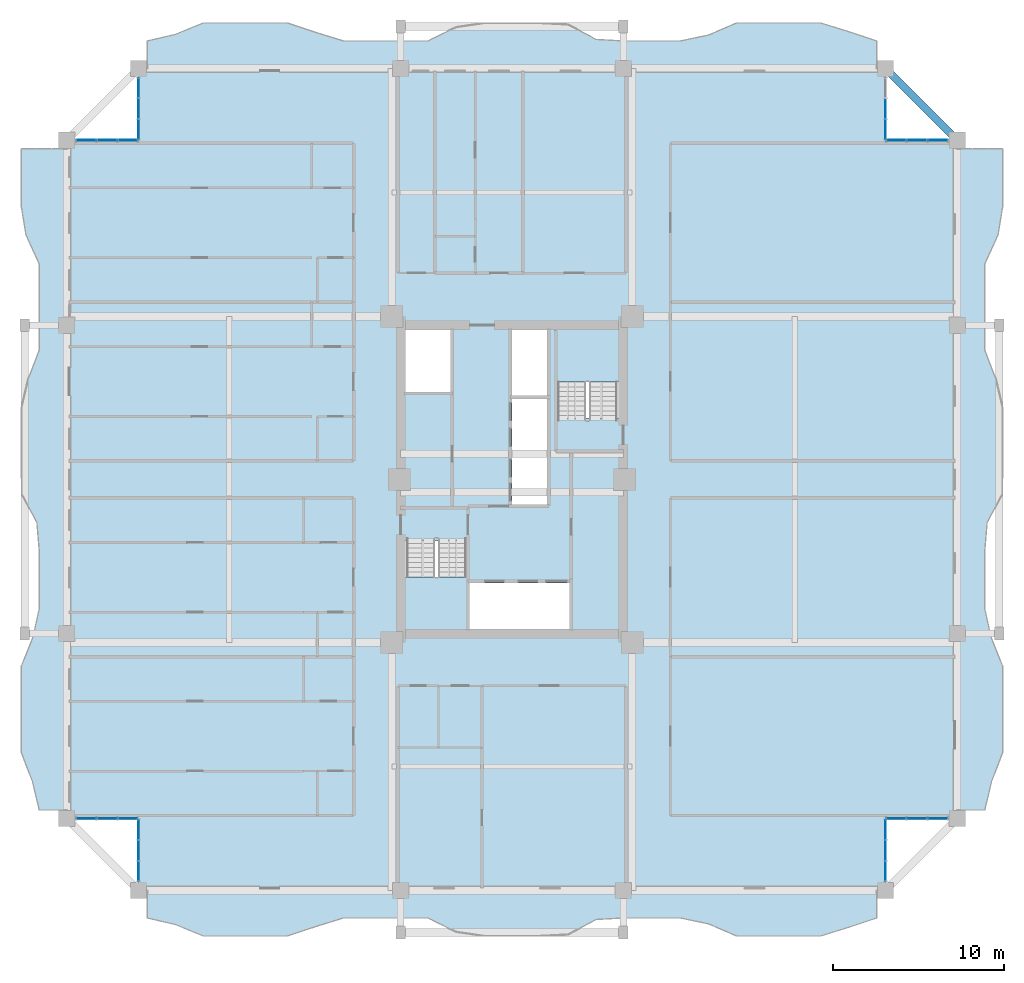
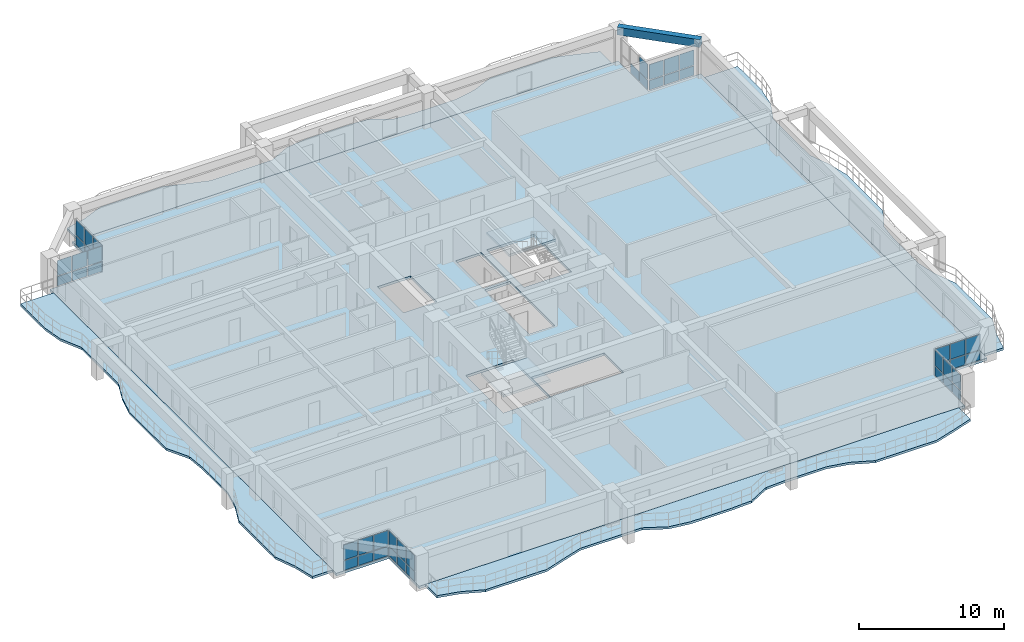
# One storey, part 12 of 22: 45 plates, 7 slabs, 1 beam, 10 elements without a shape of their own.
"""IFC4 building model written with IfcOpenShell, lengths in metres."""

from ifc_helpers import new_model, si_unit, direction, frame, origin, origin_2d, place, context, subcontext, project, spatial, polyline, rectangle, outline, extrude, source, transform, mapped, material, layer, layer_set, material_profile, profile_set, type_object, element, aggregate, save


model = new_model("IFC4")

# Units and contexts
model_context = context("Model", 3, precision=1e-05, world=origin(), true_north=direction((0.0, 1.0)))
body_context = subcontext(model_context, "Body", "Model", "MODEL_VIEW")
ifc_project = project(units=[si_unit("LENGTHUNIT", "METRE"), si_unit("AREAUNIT", "SQUARE_METRE"), si_unit("VOLUMEUNIT", "CUBIC_METRE"), si_unit("PLANEANGLEUNIT", "RADIAN"), si_unit("MASSUNIT", "GRAM", prefix="KILO")], contexts=[model_context])

# Site, building, storey
site_placement = place(None, origin())
site = spatial("IfcSite", under=ifc_project, at=site_placement, CompositionType="ELEMENT")
building_placement = place(site_placement, origin())
building = spatial("IfcBuilding", under=site, at=building_placement, Name="Saelheon Loggia Tower", CompositionType="ELEMENT")
storey_placement = place(building_placement, frame((0.0, 0.0, 135.75)))
storey = spatial("IfcBuildingStorey", under=building, at=storey_placement, Name="L43", CompositionType="ELEMENT", Elevation=135.75)

# Beam
ifc_material_1 = material(Name="Concrete C40/50", Category="concrete")
ifc_material_profile = material_profile(ifc_material_1, rectangle(XDim=0.449951171875, YDim=0.64990234375, at=origin_2d()), Name="RC-450x650")
ifc_profile_set = profile_set([ifc_material_profile], Name="Concrete C40/50")
beam_type = type_object("IfcBeamType", Name="Beam_PerimTower_RC450x650", PredefinedType="BEAM", material=ifc_profile_set)
shared_shape_1 = source(origin(), body_context, "Body", "SweptSolid", [
    extrude(rectangle(XDim=0.449951171875, YDim=0.64990234375, at=origin_2d()), origin(), (0.0, 0.0, 1.0), 5.939697265625),
])
beam_placement = place(storey_placement, frame((64.0, 46.800048828125, 2.675048828125), z_axis=(-0.707106781187, 0.707106781187, 0.0), x_axis=(-0.707106781187, -0.707106781187, 0.0)))
element("IfcBeam", 1, at=beam_placement, inside=storey, type_object=beam_type, Name="L43 Perimeter Frame Girder 08", PredefinedType="BEAM", context=body_context, shape_type="MappedRepresentation", body=[
    mapped(shared_shape_1, transform((0.0, 0.0, 0.0), scale=1.0)),
])

# Slabs
ifc_material_2 = material(Name="Precast Concrete C45/55", Category="concrete")
ifc_layer_1 = layer(ifc_material_2, 0.18994140625)
ifc_layer_set_1 = layer_set([ifc_layer_1], Name="Precast Concrete C45/55")
slab_type_1 = type_object("IfcSlabType", Name="Slab_Loggia_Ext_190", PredefinedType="FLOOR", material=ifc_layer_set_1)
slab_1_placement = place(storey_placement, frame((0.0, 0.0, -0.18994140625)))
element("IfcSlab", 2, at=slab_1_placement, inside=storey, type_object=slab_type_1, Name="L43 Loggia Balcony Slab S", PredefinedType="FLOOR", context=body_context, shape_type="SweptSolid", body=[
    extrude(outline(polyline([(16.699951171875, 1.39990234375), (18.33837890625, 1.01904296875), (19.976806640625, 0.35009765625), (21.615478515625, 0.35009765625), (23.25390625, 0.35009765625), (24.892333984375, 0.35009765625), (26.53076171875, 0.893798828125), (28.169189453125, 1.39990234375), (29.8076171875, 1.39990234375), (31.4462890625, 1.39990234375), (33.084716796875, 1.39990234375), (34.72314453125, 0.59423828125), (36.361572265625, 0.35009765625), (38.0, 0.35009765625), (39.638427734375, 0.35009765625), (41.27685546875, 0.436279296875), (42.915283203125, 1.31103515625), (44.5537109375, 1.39990234375), (46.1923828125, 1.39990234375), (47.830810546875, 1.39990234375), (49.46923828125, 1.05615234375), (51.107666015625, 0.35009765625), (52.74609375, 0.35009765625), (54.384521484375, 0.35009765625), (56.023193359375, 0.35009765625), (57.66162109375, 0.856201171875), (59.300048828125, 1.39990234375), (59.300048828125, 3.0), (16.699951171875, 3.0), (16.699951171875, 1.39990234375)])), origin(), (0.0, 0.0, 1.0), 0.18994140625),
])
slab_2_placement = place(storey_placement, frame((0.0, 0.0, -0.18994140625)))
element("IfcSlab", 3, at=slab_2_placement, inside=storey, type_object=slab_type_1, Name="L43 Loggia Balcony Slab N", PredefinedType="FLOOR", context=body_context, shape_type="SweptSolid", body=[
    extrude(outline(polyline([(16.699951171875, 51.0), (59.300048828125, 51.0), (59.300048828125, 52.60009765625), (57.66162109375, 53.143798828125), (56.023193359375, 53.64990234375), (54.384521484375, 53.64990234375), (52.74609375, 53.64990234375), (51.107666015625, 53.64990234375), (49.46923828125, 52.94384765625), (47.830810546875, 52.60009765625), (46.1923828125, 52.60009765625), (44.5537109375, 52.60009765625), (42.915283203125, 52.68896484375), (41.27685546875, 53.563720703125), (39.638427734375, 53.64990234375), (38.0, 53.64990234375), (36.361572265625, 53.64990234375), (34.72314453125, 53.40576171875), (33.084716796875, 52.60009765625), (31.4462890625, 52.60009765625), (29.8076171875, 52.60009765625), (28.169189453125, 52.60009765625), (26.53076171875, 53.106201171875), (24.892333984375, 53.64990234375), (23.25390625, 53.64990234375), (21.615478515625, 53.64990234375), (19.976806640625, 53.64990234375), (18.33837890625, 52.98095703125), (16.699951171875, 52.60009765625), (16.699951171875, 51.0)])), origin(), (0.0, 0.0, 1.0), 0.18994140625),
])
slab_3_placement = place(storey_placement, frame((0.0, 0.0, -0.18994140625)))
element("IfcSlab", 4, at=slab_3_placement, inside=storey, type_object=slab_type_1, Name="L43 Loggia Balcony Slab E", PredefinedType="FLOOR", context=body_context, shape_type="SweptSolid", body=[
    extrude(outline(polyline([(64.0, 7.699951171875), (65.60009765625, 7.699951171875), (66.00244140625, 9.37841796875), (66.64990234375, 11.056396484375), (66.64990234375, 12.73486328125), (66.64990234375, 14.4130859375), (66.64990234375, 16.09130859375), (65.976806640625, 17.76953125), (65.60009765625, 19.44775390625), (65.60009765625, 21.126220703125), (65.60009765625, 22.80419921875), (65.739501953125, 24.482666015625), (66.63427734375, 26.160888671875), (66.64990234375, 27.839111328125), (66.64990234375, 29.517333984375), (66.64990234375, 31.19580078125), (66.24560546875, 32.873779296875), (65.60009765625, 34.55224609375), (65.60009765625, 36.23046875), (65.60009765625, 37.90869140625), (65.60009765625, 39.5869140625), (66.374755859375, 41.26513671875), (66.64990234375, 42.943603515625), (66.64990234375, 44.62158203125), (66.64990234375, 46.300048828125), (64.0, 46.300048828125), (64.0, 7.699951171875)])), origin(), (0.0, 0.0, 1.0), 0.18994140625),
])
slab_4_placement = place(storey_placement, frame((0.0, 0.0, -0.18994140625)))
element("IfcSlab", 5, at=slab_4_placement, inside=storey, type_object=slab_type_1, Name="L43 Loggia Balcony Slab W", PredefinedType="FLOOR", context=body_context, shape_type="SweptSolid", body=[
    extrude(outline(polyline([(12.0, 7.699951171875), (12.0, 46.300048828125), (9.35009765625, 46.300048828125), (9.35009765625, 44.62158203125), (9.35009765625, 42.943603515625), (9.625244140625, 41.26513671875), (10.39990234375, 39.5869140625), (10.39990234375, 37.90869140625), (10.39990234375, 36.23046875), (10.39990234375, 34.55224609375), (9.75439453125, 32.873779296875), (9.35009765625, 31.19580078125), (9.35009765625, 29.517333984375), (9.35009765625, 27.839111328125), (9.36572265625, 26.160888671875), (10.260498046875, 24.482666015625), (10.39990234375, 22.80419921875), (10.39990234375, 21.126220703125), (10.39990234375, 19.44775390625), (10.023193359375, 17.76953125), (9.35009765625, 16.09130859375), (9.35009765625, 14.4130859375), (9.35009765625, 12.73486328125), (9.35009765625, 11.056396484375), (9.99755859375, 9.37841796875), (10.39990234375, 7.699951171875), (12.0, 7.699951171875)])), origin(), (0.0, 0.0, 1.0), 0.18994140625),
])

# Stair, slab
stair_type = type_object("IfcStairType", Name="Stair_Escape_Core", PredefinedType="HALF_TURN_STAIR", material=ifc_material_1)
stair_1_placement = place(storey_placement, origin())
stair_1 = element("IfcStair", 6, at=stair_1_placement, inside=storey, type_object=stair_type, Name="L43 Special Escape Stair ST1", PredefinedType="HALF_TURN_STAIR")
ifc_layer_2 = layer(ifc_material_1, 0.199951171875)
ifc_layer_set_2 = layer_set([ifc_layer_2], Name="Concrete C40/50")
slab_type_2 = type_object("IfcSlabType", Name="Slab_StairLanding_ST1", PredefinedType="LANDING", material=ifc_layer_set_2)
slab_5_placement = place(storey_placement, frame((0.0, 0.0, 1.300048828125)))
slab_5 = element("IfcSlab", 7, at=slab_5_placement, type_object=slab_type_2, Name="ST1 landing 1", PredefinedType="LANDING", context=body_context, shape_type="SweptSolid", body=[
    extrude(outline(polyline([(31.7099609375, 21.31005859375), (31.7099609375, 18.2099609375), (35.469970703125, 18.2099609375), (35.469970703125, 21.31005859375), (31.7099609375, 21.31005859375)])), origin(), (0.0, 0.0, 1.0), 0.199951171875),
])
aggregate(stair_1, [slab_5])

stair_2_placement = place(storey_placement, origin())
stair_2 = element("IfcStair", 8, at=stair_2_placement, inside=storey, type_object=stair_type, Name="L43 Special Escape Stair ST2", PredefinedType="HALF_TURN_STAIR")
ifc_layer_3 = layer(ifc_material_1, 0.199951171875)
ifc_layer_set_3 = layer_set([ifc_layer_3], Name="Concrete C40/50")
slab_type_3 = type_object("IfcSlabType", Name="Slab_StairLanding_ST2", PredefinedType="LANDING", material=ifc_layer_set_3)
slab_6_placement = place(storey_placement, frame((0.0, 0.0, 1.300048828125)))
slab_6 = element("IfcSlab", 9, at=slab_6_placement, type_object=slab_type_3, Name="ST2 landing 1", PredefinedType="LANDING", context=body_context, shape_type="SweptSolid", body=[
    extrude(outline(polyline([(44.2900390625, 32.68994140625), (44.2900390625, 35.7900390625), (40.530029296875, 35.7900390625), (40.530029296875, 32.68994140625), (44.2900390625, 32.68994140625)])), origin(), (0.0, 0.0, 1.0), 0.199951171875),
])
aggregate(stair_2, [slab_6])

# Slab
ifc_layer_4 = layer(ifc_material_1, 0.2099609375)
ifc_layer_set_4 = layer_set([ifc_layer_4], Name="Concrete C40/50")
slab_type_4 = type_object("IfcSlabType", Name="Slab_Tower_210", PredefinedType="FLOOR", material=ifc_layer_set_4)
slab_7_placement = place(storey_placement, frame((0.0, 0.0, -0.2099609375)))
element("IfcSlab", 10, at=slab_7_placement, inside=storey, type_object=slab_type_4, Name="L43 Tower Floor Slab", PredefinedType="FLOOR", context=body_context, shape_type="SweptSolid", body=[
    extrude(outline(polyline([(16.199951171875, 3.0), (59.800048828125, 3.0), (59.800048828125, 7.199951171875), (64.0, 7.199951171875), (64.0, 46.800048828125), (59.800048828125, 46.800048828125), (59.800048828125, 51.0), (16.199951171875, 51.0), (16.199951171875, 46.800048828125), (12.0, 46.800048828125), (12.0, 7.199951171875), (16.199951171875, 7.199951171875), (16.199951171875, 3.0)]), holes=[polyline([(31.699951171875, 23.409912109375), (31.699951171875, 18.199951171875), (35.47998046875, 18.199951171875), (35.47998046875, 23.409912109375), (31.699951171875, 23.409912109375)]), polyline([(44.300048828125, 30.590087890625), (44.300048828125, 35.800048828125), (40.52001953125, 35.800048828125), (40.52001953125, 30.590087890625), (44.300048828125, 30.590087890625)]), polyline([(35.530029296875, 18.27490234375), (41.35009765625, 18.27490234375), (41.35009765625, 20.9599609375), (35.530029296875, 20.9599609375), (35.530029296875, 18.27490234375)]), polyline([(31.77490234375, 32.1201171875), (34.419921875, 32.1201171875), (34.419921875, 35.72509765625), (31.77490234375, 35.72509765625), (31.77490234375, 32.1201171875)]), polyline([(38.0, 31.89990234375), (40.050048828125, 31.89990234375), (40.050048828125, 35.72509765625), (38.0, 35.72509765625), (38.0, 31.89990234375)]), polyline([(38.0, 25.5400390625), (40.050048828125, 25.5400390625), (40.050048828125, 31.699951171875), (38.0, 31.699951171875), (38.0, 25.5400390625)])]), origin(), (0.0, 0.0, 1.0), 0.2099609375),
])

# Curtain wall, plates
ifc_material_3 = material(Name="High-Wind Aluminium and Triple Laminated Glass", Category="aluminium")
ifc_layer_5 = layer(ifc_material_3, 0.179931640625)
ifc_layer_set_5 = layer_set([ifc_layer_5], Name="High-Wind Aluminium and Triple Laminated Glass")
curtain_wall_type = type_object("IfcCurtainWallType", Name="CW_TowerLoggiaHigh", PredefinedType="NOTDEFINED", material=ifc_layer_set_5)
curtain_wall_1_placement = place(storey_placement, origin())
curtain_wall_1 = element("IfcCurtainWall", 11, at=curtain_wall_1_placement, inside=storey, type_object=curtain_wall_type, Name="L43 Corner Notch Glazing SW1", PredefinedType="NOTDEFINED")
ifc_material_4 = material(Name="Triple Low-E Laminated Glazing", Category="glass")
ifc_layer_6 = layer(ifc_material_4, 0.0439453125)
ifc_layer_set_6 = layer_set([ifc_layer_6], Name="Triple Low-E Laminated Glazing")
plate_type = type_object("IfcPlateType", Name="CW_TowerLoggiaHigh_Panel", PredefinedType="CURTAIN_PANEL", material=ifc_layer_set_6)
shared_shape_2 = source(origin(), body_context, "Body", "SweptSolid", [
    extrude(rectangle(XDim=1.123291015625, YDim=0.0439453125, at=origin_2d()), origin(), (0.0, 0.0, 1.0), 0.794921875),
])
plate_1_placement = place(storey_placement, frame((16.199951171875, 4.146728515625, 0.070068359375), z_axis=(0.0, 0.0, 1.0), x_axis=(0.0, 1.0, 0.0)))
plate_1 = element("IfcPlate", 12, at=plate_1_placement, type_object=plate_type, Name="CW4 panel 1.1", PredefinedType="CURTAIN_PANEL", context=body_context, shape_type="MappedRepresentation", body=[
    mapped(shared_shape_2, transform((0.0, 0.0, 0.0), scale=1.0)),
])
plate_2_placement = place(storey_placement, frame((16.199951171875, 6.568359375, 0.070068359375), z_axis=(0.0, 0.0, 1.0), x_axis=(0.0, 1.0, 0.0)))
plate_2 = element("IfcPlate", 13, at=plate_2_placement, type_object=plate_type, Name="CW4 panel 3.1", PredefinedType="CURTAIN_PANEL", context=body_context, shape_type="MappedRepresentation", body=[
    mapped(shared_shape_2, transform((0.0, 0.0, 0.0), scale=1.0)),
])

curtain_wall_2_placement = place(storey_placement, origin())
curtain_wall_2 = element("IfcCurtainWall", 14, at=curtain_wall_2_placement, inside=storey, type_object=curtain_wall_type, Name="L43 Corner Notch Glazing SW2", PredefinedType="NOTDEFINED")
plate_3_placement = place(storey_placement, frame((13.146728515625, 7.199951171875, 0.070068359375), z_axis=(0.0, 0.0, 1.0), x_axis=(1.0, 0.0, 0.0)))
plate_3 = element("IfcPlate", 15, at=plate_3_placement, type_object=plate_type, Name="CW4 panel 1.1", PredefinedType="CURTAIN_PANEL", context=body_context, shape_type="MappedRepresentation", body=[
    mapped(shared_shape_2, transform((0.0, 0.0, 0.0), scale=1.0)),
])
plate_4_placement = place(storey_placement, frame((15.568359375, 7.199951171875, 0.070068359375), z_axis=(0.0, 0.0, 1.0), x_axis=(1.0, 0.0, 0.0)))
plate_4 = element("IfcPlate", 16, at=plate_4_placement, type_object=plate_type, Name="CW4 panel 3.1", PredefinedType="CURTAIN_PANEL", context=body_context, shape_type="MappedRepresentation", body=[
    mapped(shared_shape_2, transform((0.0, 0.0, 0.0), scale=1.0)),
])

curtain_wall_3_placement = place(storey_placement, origin())
curtain_wall_3 = element("IfcCurtainWall", 17, at=curtain_wall_3_placement, inside=storey, type_object=curtain_wall_type, Name="L43 Corner Notch Glazing SE1", PredefinedType="NOTDEFINED")
plate_5_placement = place(storey_placement, frame((59.800048828125, 4.146728515625, 0.070068359375), z_axis=(0.0, 0.0, 1.0), x_axis=(0.0, 1.0, 0.0)))
plate_5 = element("IfcPlate", 18, at=plate_5_placement, type_object=plate_type, Name="CW4 panel 1.1", PredefinedType="CURTAIN_PANEL", context=body_context, shape_type="MappedRepresentation", body=[
    mapped(shared_shape_2, transform((0.0, 0.0, 0.0), scale=1.0)),
])
plate_6_placement = place(storey_placement, frame((59.800048828125, 6.568359375, 0.070068359375), z_axis=(0.0, 0.0, 1.0), x_axis=(0.0, 1.0, 0.0)))
plate_6 = element("IfcPlate", 19, at=plate_6_placement, type_object=plate_type, Name="CW4 panel 3.1", PredefinedType="CURTAIN_PANEL", context=body_context, shape_type="MappedRepresentation", body=[
    mapped(shared_shape_2, transform((0.0, 0.0, 0.0), scale=1.0)),
])

curtain_wall_4_placement = place(storey_placement, origin())
curtain_wall_4 = element("IfcCurtainWall", 20, at=curtain_wall_4_placement, inside=storey, type_object=curtain_wall_type, Name="L43 Corner Notch Glazing SE2", PredefinedType="NOTDEFINED")
plate_7_placement = place(storey_placement, frame((60.431640625, 7.199951171875, 0.070068359375), z_axis=(0.0, 0.0, 1.0), x_axis=(1.0, 0.0, 0.0)))
plate_7 = element("IfcPlate", 21, at=plate_7_placement, type_object=plate_type, Name="CW4 panel 1.1", PredefinedType="CURTAIN_PANEL", context=body_context, shape_type="MappedRepresentation", body=[
    mapped(shared_shape_2, transform((0.0, 0.0, 0.0), scale=1.0)),
])
plate_8_placement = place(storey_placement, frame((62.853271484375, 7.199951171875, 0.070068359375), z_axis=(0.0, 0.0, 1.0), x_axis=(1.0, 0.0, 0.0)))
plate_8 = element("IfcPlate", 22, at=plate_8_placement, type_object=plate_type, Name="CW4 panel 3.1", PredefinedType="CURTAIN_PANEL", context=body_context, shape_type="MappedRepresentation", body=[
    mapped(shared_shape_2, transform((0.0, 0.0, 0.0), scale=1.0)),
])

curtain_wall_5_placement = place(storey_placement, origin())
curtain_wall_5 = element("IfcCurtainWall", 23, at=curtain_wall_5_placement, inside=storey, type_object=curtain_wall_type, Name="L43 Corner Notch Glazing NW1", PredefinedType="NOTDEFINED")
plate_9_placement = place(storey_placement, frame((16.199951171875, 47.431640625, 0.070068359375), z_axis=(0.0, 0.0, 1.0), x_axis=(0.0, 1.0, 0.0)))
plate_9 = element("IfcPlate", 24, at=plate_9_placement, type_object=plate_type, Name="CW4 panel 1.1", PredefinedType="CURTAIN_PANEL", context=body_context, shape_type="MappedRepresentation", body=[
    mapped(shared_shape_2, transform((0.0, 0.0, 0.0), scale=1.0)),
])
plate_10_placement = place(storey_placement, frame((16.199951171875, 49.853271484375, 0.070068359375), z_axis=(0.0, 0.0, 1.0), x_axis=(0.0, 1.0, 0.0)))
plate_10 = element("IfcPlate", 25, at=plate_10_placement, type_object=plate_type, Name="CW4 panel 3.1", PredefinedType="CURTAIN_PANEL", context=body_context, shape_type="MappedRepresentation", body=[
    mapped(shared_shape_2, transform((0.0, 0.0, 0.0), scale=1.0)),
])

curtain_wall_6_placement = place(storey_placement, origin())
curtain_wall_6 = element("IfcCurtainWall", 26, at=curtain_wall_6_placement, inside=storey, type_object=curtain_wall_type, Name="L43 Corner Notch Glazing NW2", PredefinedType="NOTDEFINED")
plate_11_placement = place(storey_placement, frame((13.146728515625, 46.800048828125, 0.070068359375), z_axis=(0.0, 0.0, 1.0), x_axis=(1.0, 0.0, 0.0)))
plate_11 = element("IfcPlate", 27, at=plate_11_placement, type_object=plate_type, Name="CW4 panel 1.1", PredefinedType="CURTAIN_PANEL", context=body_context, shape_type="MappedRepresentation", body=[
    mapped(shared_shape_2, transform((0.0, 0.0, 0.0), scale=1.0)),
])
plate_12_placement = place(storey_placement, frame((15.568359375, 46.800048828125, 0.070068359375), z_axis=(0.0, 0.0, 1.0), x_axis=(1.0, 0.0, 0.0)))
plate_12 = element("IfcPlate", 28, at=plate_12_placement, type_object=plate_type, Name="CW4 panel 3.1", PredefinedType="CURTAIN_PANEL", context=body_context, shape_type="MappedRepresentation", body=[
    mapped(shared_shape_2, transform((0.0, 0.0, 0.0), scale=1.0)),
])

# Curtain wall, plate
curtain_wall_7_placement = place(storey_placement, origin())
curtain_wall_7 = element("IfcCurtainWall", 29, at=curtain_wall_7_placement, inside=storey, type_object=curtain_wall_type, Name="L43 Corner Notch Glazing NE1", PredefinedType="NOTDEFINED")
plate_13_placement = place(storey_placement, frame((59.800048828125, 47.431640625, 0.070068359375), z_axis=(0.0, 0.0, 1.0), x_axis=(0.0, 1.0, 0.0)))
plate_13 = element("IfcPlate", 30, at=plate_13_placement, type_object=plate_type, Name="CW4 panel 1.1", PredefinedType="CURTAIN_PANEL", context=body_context, shape_type="MappedRepresentation", body=[
    mapped(shared_shape_2, transform((0.0, 0.0, 0.0), scale=1.0)),
])

# Curtain wall, plates
curtain_wall_8_placement = place(storey_placement, origin())
curtain_wall_8 = element("IfcCurtainWall", 31, at=curtain_wall_8_placement, inside=storey, type_object=curtain_wall_type, Name="L43 Corner Notch Glazing NE2", PredefinedType="NOTDEFINED")
plate_14_placement = place(storey_placement, frame((60.431640625, 46.800048828125, 0.070068359375), z_axis=(0.0, 0.0, 1.0), x_axis=(1.0, 0.0, 0.0)))
plate_14 = element("IfcPlate", 32, at=plate_14_placement, type_object=plate_type, Name="CW4 panel 1.1", PredefinedType="CURTAIN_PANEL", context=body_context, shape_type="MappedRepresentation", body=[
    mapped(shared_shape_2, transform((0.0, 0.0, 0.0), scale=1.0)),
])
plate_15_placement = place(storey_placement, frame((62.853271484375, 46.800048828125, 0.070068359375), z_axis=(0.0, 0.0, 1.0), x_axis=(1.0, 0.0, 0.0)))
plate_15 = element("IfcPlate", 33, at=plate_15_placement, type_object=plate_type, Name="CW4 panel 3.1", PredefinedType="CURTAIN_PANEL", context=body_context, shape_type="MappedRepresentation", body=[
    mapped(shared_shape_2, transform((0.0, 0.0, 0.0), scale=1.0)),
])

# Plate
shared_shape_3 = source(origin(), body_context, "Body", "SweptSolid", [
    extrude(rectangle(XDim=1.123291015625, YDim=0.0439453125, at=origin_2d()), origin(), (0.0, 0.0, 1.0), 1.27490234375),
])
plate_16_placement = place(storey_placement, frame((16.199951171875, 4.146728515625, 0.93505859375), z_axis=(0.0, 0.0, 1.0), x_axis=(0.0, 1.0, 0.0)))
plate_16 = element("IfcPlate", 34, at=plate_16_placement, type_object=plate_type, Name="CW4 panel 1.2", PredefinedType="CURTAIN_PANEL", context=body_context, shape_type="MappedRepresentation", body=[
    mapped(shared_shape_3, transform((0.0, 0.0, 0.0), scale=1.0)),
])

plate_17_placement = place(storey_placement, frame((16.199951171875, 6.568359375, 0.93505859375), z_axis=(0.0, 0.0, 1.0), x_axis=(0.0, 1.0, 0.0)))
plate_17 = element("IfcPlate", 35, at=plate_17_placement, type_object=plate_type, Name="CW4 panel 3.2", PredefinedType="CURTAIN_PANEL", context=body_context, shape_type="MappedRepresentation", body=[
    mapped(shared_shape_3, transform((0.0, 0.0, 0.0), scale=1.0)),
])

plate_18_placement = place(storey_placement, frame((13.146728515625, 7.199951171875, 0.93505859375), z_axis=(0.0, 0.0, 1.0), x_axis=(1.0, 0.0, 0.0)))
plate_18 = element("IfcPlate", 36, at=plate_18_placement, type_object=plate_type, Name="CW4 panel 1.2", PredefinedType="CURTAIN_PANEL", context=body_context, shape_type="MappedRepresentation", body=[
    mapped(shared_shape_3, transform((0.0, 0.0, 0.0), scale=1.0)),
])

plate_19_placement = place(storey_placement, frame((15.568359375, 7.199951171875, 0.93505859375), z_axis=(0.0, 0.0, 1.0), x_axis=(1.0, 0.0, 0.0)))
plate_19 = element("IfcPlate", 37, at=plate_19_placement, type_object=plate_type, Name="CW4 panel 3.2", PredefinedType="CURTAIN_PANEL", context=body_context, shape_type="MappedRepresentation", body=[
    mapped(shared_shape_3, transform((0.0, 0.0, 0.0), scale=1.0)),
])

plate_20_placement = place(storey_placement, frame((59.800048828125, 4.146728515625, 0.93505859375), z_axis=(0.0, 0.0, 1.0), x_axis=(0.0, 1.0, 0.0)))
plate_20 = element("IfcPlate", 38, at=plate_20_placement, type_object=plate_type, Name="CW4 panel 1.2", PredefinedType="CURTAIN_PANEL", context=body_context, shape_type="MappedRepresentation", body=[
    mapped(shared_shape_3, transform((0.0, 0.0, 0.0), scale=1.0)),
])

plate_21_placement = place(storey_placement, frame((59.800048828125, 6.568359375, 0.93505859375), z_axis=(0.0, 0.0, 1.0), x_axis=(0.0, 1.0, 0.0)))
plate_21 = element("IfcPlate", 39, at=plate_21_placement, type_object=plate_type, Name="CW4 panel 3.2", PredefinedType="CURTAIN_PANEL", context=body_context, shape_type="MappedRepresentation", body=[
    mapped(shared_shape_3, transform((0.0, 0.0, 0.0), scale=1.0)),
])

plate_22_placement = place(storey_placement, frame((60.431640625, 7.199951171875, 0.93505859375), z_axis=(0.0, 0.0, 1.0), x_axis=(1.0, 0.0, 0.0)))
plate_22 = element("IfcPlate", 40, at=plate_22_placement, type_object=plate_type, Name="CW4 panel 1.2", PredefinedType="CURTAIN_PANEL", context=body_context, shape_type="MappedRepresentation", body=[
    mapped(shared_shape_3, transform((0.0, 0.0, 0.0), scale=1.0)),
])

plate_23_placement = place(storey_placement, frame((62.853271484375, 7.199951171875, 0.93505859375), z_axis=(0.0, 0.0, 1.0), x_axis=(1.0, 0.0, 0.0)))
plate_23 = element("IfcPlate", 41, at=plate_23_placement, type_object=plate_type, Name="CW4 panel 3.2", PredefinedType="CURTAIN_PANEL", context=body_context, shape_type="MappedRepresentation", body=[
    mapped(shared_shape_3, transform((0.0, 0.0, 0.0), scale=1.0)),
])

plate_24_placement = place(storey_placement, frame((16.199951171875, 47.431640625, 0.93505859375), z_axis=(0.0, 0.0, 1.0), x_axis=(0.0, 1.0, 0.0)))
plate_24 = element("IfcPlate", 42, at=plate_24_placement, type_object=plate_type, Name="CW4 panel 1.2", PredefinedType="CURTAIN_PANEL", context=body_context, shape_type="MappedRepresentation", body=[
    mapped(shared_shape_3, transform((0.0, 0.0, 0.0), scale=1.0)),
])

plate_25_placement = place(storey_placement, frame((16.199951171875, 49.853271484375, 0.93505859375), z_axis=(0.0, 0.0, 1.0), x_axis=(0.0, 1.0, 0.0)))
plate_25 = element("IfcPlate", 43, at=plate_25_placement, type_object=plate_type, Name="CW4 panel 3.2", PredefinedType="CURTAIN_PANEL", context=body_context, shape_type="MappedRepresentation", body=[
    mapped(shared_shape_3, transform((0.0, 0.0, 0.0), scale=1.0)),
])

plate_26_placement = place(storey_placement, frame((13.146728515625, 46.800048828125, 0.93505859375), z_axis=(0.0, 0.0, 1.0), x_axis=(1.0, 0.0, 0.0)))
plate_26 = element("IfcPlate", 44, at=plate_26_placement, type_object=plate_type, Name="CW4 panel 1.2", PredefinedType="CURTAIN_PANEL", context=body_context, shape_type="MappedRepresentation", body=[
    mapped(shared_shape_3, transform((0.0, 0.0, 0.0), scale=1.0)),
])

plate_27_placement = place(storey_placement, frame((15.568359375, 46.800048828125, 0.93505859375), z_axis=(0.0, 0.0, 1.0), x_axis=(1.0, 0.0, 0.0)))
plate_27 = element("IfcPlate", 45, at=plate_27_placement, type_object=plate_type, Name="CW4 panel 3.2", PredefinedType="CURTAIN_PANEL", context=body_context, shape_type="MappedRepresentation", body=[
    mapped(shared_shape_3, transform((0.0, 0.0, 0.0), scale=1.0)),
])

plate_28_placement = place(storey_placement, frame((59.800048828125, 47.431640625, 0.93505859375), z_axis=(0.0, 0.0, 1.0), x_axis=(0.0, 1.0, 0.0)))
plate_28 = element("IfcPlate", 46, at=plate_28_placement, type_object=plate_type, Name="CW4 panel 1.2", PredefinedType="CURTAIN_PANEL", context=body_context, shape_type="MappedRepresentation", body=[
    mapped(shared_shape_3, transform((0.0, 0.0, 0.0), scale=1.0)),
])

plate_29_placement = place(storey_placement, frame((60.431640625, 46.800048828125, 0.93505859375), z_axis=(0.0, 0.0, 1.0), x_axis=(1.0, 0.0, 0.0)))
plate_29 = element("IfcPlate", 47, at=plate_29_placement, type_object=plate_type, Name="CW4 panel 1.2", PredefinedType="CURTAIN_PANEL", context=body_context, shape_type="MappedRepresentation", body=[
    mapped(shared_shape_3, transform((0.0, 0.0, 0.0), scale=1.0)),
])

plate_30_placement = place(storey_placement, frame((62.853271484375, 46.800048828125, 0.93505859375), z_axis=(0.0, 0.0, 1.0), x_axis=(1.0, 0.0, 0.0)))
plate_30 = element("IfcPlate", 48, at=plate_30_placement, type_object=plate_type, Name="CW4 panel 3.2", PredefinedType="CURTAIN_PANEL", context=body_context, shape_type="MappedRepresentation", body=[
    mapped(shared_shape_3, transform((0.0, 0.0, 0.0), scale=1.0)),
])

shared_shape_4 = source(origin(), body_context, "Body", "SweptSolid", [
    extrude(rectangle(XDim=1.158447265625, YDim=0.0439453125, at=origin_2d()), origin(), (0.0, 0.0, 1.0), 0.794921875),
])
plate_31_placement = place(storey_placement, frame((16.199951171875, 5.357421875, 0.070068359375), z_axis=(0.0, 0.0, 1.0), x_axis=(0.0, 1.0, 0.0)))
plate_31 = element("IfcPlate", 49, at=plate_31_placement, type_object=plate_type, Name="CW4 panel 2.1", PredefinedType="CURTAIN_PANEL", context=body_context, shape_type="MappedRepresentation", body=[
    mapped(shared_shape_4, transform((0.0, 0.0, 0.0), scale=1.0)),
])

plate_32_placement = place(storey_placement, frame((14.357421875, 7.199951171875, 0.070068359375), z_axis=(0.0, 0.0, 1.0), x_axis=(1.0, 0.0, 0.0)))
plate_32 = element("IfcPlate", 50, at=plate_32_placement, type_object=plate_type, Name="CW4 panel 2.1", PredefinedType="CURTAIN_PANEL", context=body_context, shape_type="MappedRepresentation", body=[
    mapped(shared_shape_4, transform((0.0, 0.0, 0.0), scale=1.0)),
])

plate_33_placement = place(storey_placement, frame((59.800048828125, 5.357421875, 0.070068359375), z_axis=(0.0, 0.0, 1.0), x_axis=(0.0, 1.0, 0.0)))
plate_33 = element("IfcPlate", 51, at=plate_33_placement, type_object=plate_type, Name="CW4 panel 2.1", PredefinedType="CURTAIN_PANEL", context=body_context, shape_type="MappedRepresentation", body=[
    mapped(shared_shape_4, transform((0.0, 0.0, 0.0), scale=1.0)),
])

plate_34_placement = place(storey_placement, frame((61.642578125, 7.199951171875, 0.070068359375), z_axis=(0.0, 0.0, 1.0), x_axis=(1.0, 0.0, 0.0)))
plate_34 = element("IfcPlate", 52, at=plate_34_placement, type_object=plate_type, Name="CW4 panel 2.1", PredefinedType="CURTAIN_PANEL", context=body_context, shape_type="MappedRepresentation", body=[
    mapped(shared_shape_4, transform((0.0, 0.0, 0.0), scale=1.0)),
])

plate_35_placement = place(storey_placement, frame((16.199951171875, 48.642578125, 0.070068359375), z_axis=(0.0, 0.0, 1.0), x_axis=(0.0, 1.0, 0.0)))
plate_35 = element("IfcPlate", 53, at=plate_35_placement, type_object=plate_type, Name="CW4 panel 2.1", PredefinedType="CURTAIN_PANEL", context=body_context, shape_type="MappedRepresentation", body=[
    mapped(shared_shape_4, transform((0.0, 0.0, 0.0), scale=1.0)),
])

plate_36_placement = place(storey_placement, frame((14.357421875, 46.800048828125, 0.070068359375), z_axis=(0.0, 0.0, 1.0), x_axis=(1.0, 0.0, 0.0)))
plate_36 = element("IfcPlate", 54, at=plate_36_placement, type_object=plate_type, Name="CW4 panel 2.1", PredefinedType="CURTAIN_PANEL", context=body_context, shape_type="MappedRepresentation", body=[
    mapped(shared_shape_4, transform((0.0, 0.0, 0.0), scale=1.0)),
])

plate_37_placement = place(storey_placement, frame((59.800048828125, 48.642578125, 0.070068359375), z_axis=(0.0, 0.0, 1.0), x_axis=(0.0, 1.0, 0.0)))
plate_37 = element("IfcPlate", 55, at=plate_37_placement, type_object=plate_type, Name="CW4 panel 2.1", PredefinedType="CURTAIN_PANEL", context=body_context, shape_type="MappedRepresentation", body=[
    mapped(shared_shape_4, transform((0.0, 0.0, 0.0), scale=1.0)),
])

aggregate(curtain_wall_7, [plate_13, plate_28, plate_37])

plate_38_placement = place(storey_placement, frame((61.642578125, 46.800048828125, 0.070068359375), z_axis=(0.0, 0.0, 1.0), x_axis=(1.0, 0.0, 0.0)))
plate_38 = element("IfcPlate", 56, at=plate_38_placement, type_object=plate_type, Name="CW4 panel 2.1", PredefinedType="CURTAIN_PANEL", context=body_context, shape_type="MappedRepresentation", body=[
    mapped(shared_shape_4, transform((0.0, 0.0, 0.0), scale=1.0)),
])

shared_shape_5 = source(origin(), body_context, "Body", "SweptSolid", [
    extrude(rectangle(XDim=1.158447265625, YDim=0.0439453125, at=origin_2d()), origin(), (0.0, 0.0, 1.0), 1.27490234375),
])
plate_39_placement = place(storey_placement, frame((16.199951171875, 5.357421875, 0.93505859375), z_axis=(0.0, 0.0, 1.0), x_axis=(0.0, 1.0, 0.0)))
plate_39 = element("IfcPlate", 57, at=plate_39_placement, type_object=plate_type, Name="CW4 panel 2.2", PredefinedType="CURTAIN_PANEL", context=body_context, shape_type="MappedRepresentation", body=[
    mapped(shared_shape_5, transform((0.0, 0.0, 0.0), scale=1.0)),
])

aggregate(curtain_wall_1, [plate_1, plate_16, plate_31, plate_39, plate_2, plate_17])

plate_40_placement = place(storey_placement, frame((14.357421875, 7.199951171875, 0.93505859375), z_axis=(0.0, 0.0, 1.0), x_axis=(1.0, 0.0, 0.0)))
plate_40 = element("IfcPlate", 58, at=plate_40_placement, type_object=plate_type, Name="CW4 panel 2.2", PredefinedType="CURTAIN_PANEL", context=body_context, shape_type="MappedRepresentation", body=[
    mapped(shared_shape_5, transform((0.0, 0.0, 0.0), scale=1.0)),
])

aggregate(curtain_wall_2, [plate_3, plate_18, plate_32, plate_40, plate_4, plate_19])

plate_41_placement = place(storey_placement, frame((59.800048828125, 5.357421875, 0.93505859375), z_axis=(0.0, 0.0, 1.0), x_axis=(0.0, 1.0, 0.0)))
plate_41 = element("IfcPlate", 59, at=plate_41_placement, type_object=plate_type, Name="CW4 panel 2.2", PredefinedType="CURTAIN_PANEL", context=body_context, shape_type="MappedRepresentation", body=[
    mapped(shared_shape_5, transform((0.0, 0.0, 0.0), scale=1.0)),
])

aggregate(curtain_wall_3, [plate_5, plate_20, plate_33, plate_41, plate_6, plate_21])

plate_42_placement = place(storey_placement, frame((61.642578125, 7.199951171875, 0.93505859375), z_axis=(0.0, 0.0, 1.0), x_axis=(1.0, 0.0, 0.0)))
plate_42 = element("IfcPlate", 60, at=plate_42_placement, type_object=plate_type, Name="CW4 panel 2.2", PredefinedType="CURTAIN_PANEL", context=body_context, shape_type="MappedRepresentation", body=[
    mapped(shared_shape_5, transform((0.0, 0.0, 0.0), scale=1.0)),
])

aggregate(curtain_wall_4, [plate_7, plate_22, plate_34, plate_42, plate_8, plate_23])

plate_43_placement = place(storey_placement, frame((16.199951171875, 48.642578125, 0.93505859375), z_axis=(0.0, 0.0, 1.0), x_axis=(0.0, 1.0, 0.0)))
plate_43 = element("IfcPlate", 61, at=plate_43_placement, type_object=plate_type, Name="CW4 panel 2.2", PredefinedType="CURTAIN_PANEL", context=body_context, shape_type="MappedRepresentation", body=[
    mapped(shared_shape_5, transform((0.0, 0.0, 0.0), scale=1.0)),
])

aggregate(curtain_wall_5, [plate_9, plate_24, plate_35, plate_43, plate_10, plate_25])

plate_44_placement = place(storey_placement, frame((14.357421875, 46.800048828125, 0.93505859375), z_axis=(0.0, 0.0, 1.0), x_axis=(1.0, 0.0, 0.0)))
plate_44 = element("IfcPlate", 62, at=plate_44_placement, type_object=plate_type, Name="CW4 panel 2.2", PredefinedType="CURTAIN_PANEL", context=body_context, shape_type="MappedRepresentation", body=[
    mapped(shared_shape_5, transform((0.0, 0.0, 0.0), scale=1.0)),
])

aggregate(curtain_wall_6, [plate_11, plate_26, plate_36, plate_44, plate_12, plate_27])

plate_45_placement = place(storey_placement, frame((61.642578125, 46.800048828125, 0.93505859375), z_axis=(0.0, 0.0, 1.0), x_axis=(1.0, 0.0, 0.0)))
plate_45 = element("IfcPlate", 63, at=plate_45_placement, type_object=plate_type, Name="CW4 panel 2.2", PredefinedType="CURTAIN_PANEL", context=body_context, shape_type="MappedRepresentation", body=[
    mapped(shared_shape_5, transform((0.0, 0.0, 0.0), scale=1.0)),
])

aggregate(curtain_wall_8, [plate_14, plate_29, plate_38, plate_45, plate_15, plate_30])

save(model, "model.ifc")
